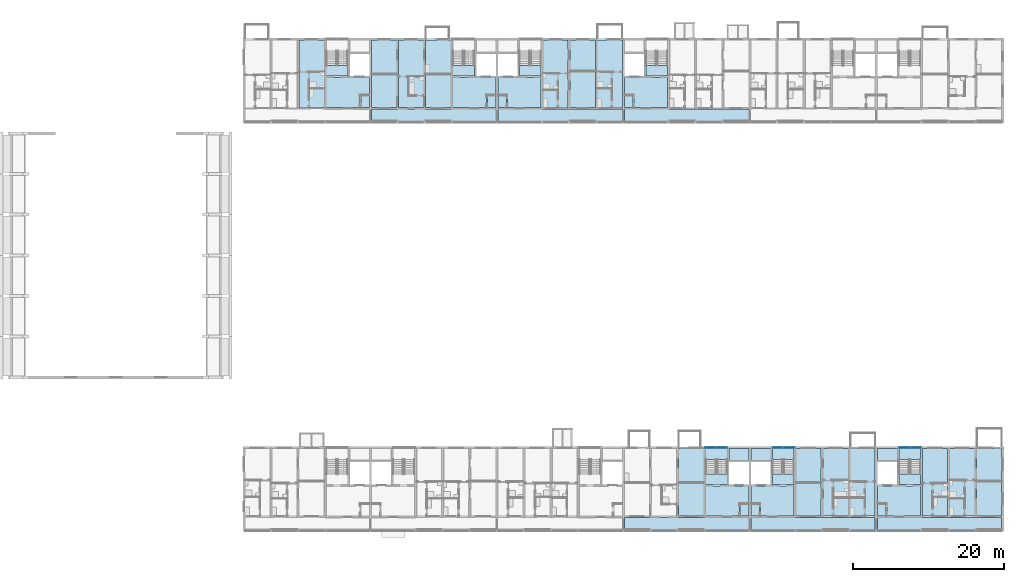
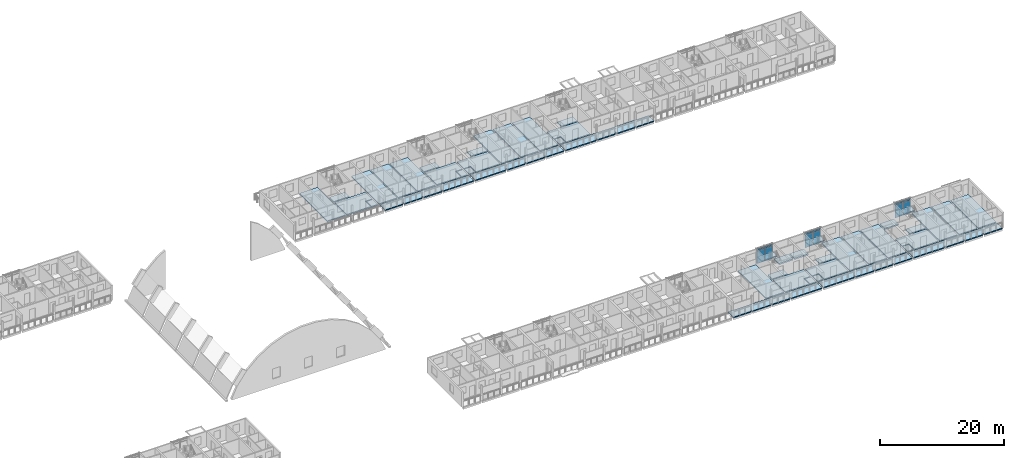
# One storey, part 28 of 100: 47 slabs, 12 plates, 6 elements without a shape of their own.
"""IFC4 building model written with IfcOpenShell, lengths in metres."""

import ifcopenshell
import ifcopenshell.guid

model = None  # the IFC model being written
_history = None  # IfcOwnerHistory: only IFC2X3 demands one
_inside = {}  # id of a spatial element -> (the spatial element, [elements in it])
_under = {}  # id of a project, library or spatial element -> (it, [spatial elements below it])
_declared = {}  # id of a project -> (the project, [libraries it declares])
_typed = {}  # id of a type object -> (the type object, [elements of that type])
_made_of = {}  # id of a material, layer set ... -> (it, [elements and type objects made of it])


def new_model(schema):
    """Start an empty IFC model of exactly this schema.

    Asked for "IFC4X3", IfcOpenShell would pick the latest addendum, in which some entities
    have other attributes; the version numbers below select the first issue.
    IFC2X3 requires an IfcOwnerHistory on every rooted entity: one is made here for all.
    """
    global model, _history
    if schema == "IFC4X3":
        model = ifcopenshell.file(schema_version=(4, 3, 0, 0))
    else:
        model = ifcopenshell.file(schema=schema)
    _inside.clear()
    _under.clear()
    _declared.clear()
    _typed.clear()
    _made_of.clear()
    _history = None
    if model.schema == "IFC2X3":
        org = make("IfcOrganization", Name="unknown")
        user = make(
            "IfcPersonAndOrganization",
            ThePerson=make("IfcPerson", FamilyName="unknown"),
            TheOrganization=org,
        )
        app = make(
            "IfcApplication",
            ApplicationDeveloper=org,
            Version="unknown",
            ApplicationFullName="unknown",
            ApplicationIdentifier="unknown",
        )
        _history = make(
            "IfcOwnerHistory",
            OwningUser=user,
            OwningApplication=app,
            ChangeAction="ADDED",
            CreationDate=0,
        )
    return model


def make(cls, **values):
    """One entity of the class cls with the attributes given. An attribute that is None is left unset."""
    return model.create_entity(
        cls, **{name: value for name, value in values.items() if value is not None}
    )


def rooted(cls, **values):
    """An entity with a GlobalId (a new one), such as an element, a storey or a relation."""
    return make(cls, GlobalId=ifcopenshell.guid.new(), OwnerHistory=_history, **values)


def si_unit(unit_type, name, prefix=None):
    """IfcSIUnit, for example si_unit("LENGTHUNIT", "METRE", prefix="MILLI")."""
    return make("IfcSIUnit", UnitType=unit_type, Prefix=prefix, Name=name)


def assignment(units):
    """IfcUnitAssignment: the units of a project."""
    return None if units is None else make("IfcUnitAssignment", Units=units)


def point(xyz):
    """IfcCartesianPoint."""
    return None if xyz is None else make("IfcCartesianPoint", Coordinates=xyz)


def direction(xyz):
    """IfcDirection."""
    return None if xyz is None else make("IfcDirection", DirectionRatios=xyz)


def frame(location, z_axis=None, x_axis=None):
    """IfcAxis2Placement3D, a coordinate frame: its origin and axes. An axis left out is left unset."""
    return make(
        "IfcAxis2Placement3D",
        Location=point(location),
        Axis=direction(z_axis),
        RefDirection=direction(x_axis),
    )


def frame_2d(location, x_axis=None):
    """IfcAxis2Placement2D, a coordinate frame in the plane: its origin and x axis."""
    return make(
        "IfcAxis2Placement2D", Location=point(location), RefDirection=direction(x_axis)
    )


def origin():
    """The frame at (0, 0, 0) with its axes left unset."""
    return frame((0.0, 0.0, 0.0))


def origin_2d():
    """The frame at (0, 0) in the plane with its x axis left unset."""
    return frame_2d((0.0, 0.0))


def place(relative_to, where):
    """IfcLocalPlacement: puts the frame where relative to a parent placement (None: the world)."""
    return make(
        "IfcLocalPlacement", PlacementRelTo=relative_to, RelativePlacement=where
    )


def context(
    kind, dimensions, precision=None, world=None, true_north=None, identifier=None
):
    """IfcGeometricRepresentationContext, for example the 3D "Model" context."""
    return make(
        "IfcGeometricRepresentationContext",
        ContextIdentifier=identifier,
        ContextType=kind,
        CoordinateSpaceDimension=dimensions,
        Precision=precision,
        WorldCoordinateSystem=world,
        TrueNorth=true_north,
    )


def subcontext(parent, identifier, kind, view, scale=None):
    """IfcGeometricRepresentationSubContext, for example "Body" below "Model"."""
    return make(
        "IfcGeometricRepresentationSubContext",
        ContextIdentifier=identifier,
        ContextType=kind,
        ParentContext=parent,
        TargetScale=scale,
        TargetView=view,
    )


def project(units=None, contexts=None):
    """IfcProject with its units and contexts."""
    return rooted(
        "IfcProject",
        Name="project",
        RepresentationContexts=contexts,
        UnitsInContext=assignment(units),
    )


def spatial(cls, under=None, at=None, **own):
    """A site, building, storey or space (cls), placed at a placement, below another one or the project."""
    s = rooted(cls, ObjectPlacement=at, **own)
    if under is not None:
        _under.setdefault(under.id(), (under, []))[1].append(s)
    return s


def polyline(points):
    """IfcPolyline through the points."""
    return make("IfcPolyline", Points=[point(p) for p in points])


def profile(cls, at=None, kind="AREA", **sizes):
    """A parametric profile (cls). Its sizes go by their IFC names, for example OverallWidth=200.0."""
    return make(cls, ProfileType=kind, Position=at, **sizes)


def rectangle(**sizes):
    """IfcRectangleProfileDef."""
    return profile("IfcRectangleProfileDef", **sizes)


def outline(outer, holes=None, kind="AREA"):
    """IfcArbitraryClosedProfileDef: a profile drawn as a closed curve; with holes, ...WithVoids."""
    if holes is None:
        return make("IfcArbitraryClosedProfileDef", ProfileType=kind, OuterCurve=outer)
    return make(
        "IfcArbitraryProfileDefWithVoids",
        ProfileType=kind,
        OuterCurve=outer,
        InnerCurves=holes,
    )


def extrude(swept, where, along, depth):
    """IfcExtrudedAreaSolid: the profile swept, set in the frame where, extruded along a direction by depth."""
    return make(
        "IfcExtrudedAreaSolid",
        SweptArea=swept,
        Position=where,
        ExtrudedDirection=direction(along),
        Depth=depth,
    )


def shape(context_of_items, identifier, shape_type, items):
    """IfcShapeRepresentation: the items that make up one representation, for example the "Body"."""
    return make(
        "IfcShapeRepresentation",
        ContextOfItems=context_of_items,
        RepresentationIdentifier=identifier,
        RepresentationType=shape_type,
        Items=items,
    )


def material(Name=None, Category=None):
    """IfcMaterial."""
    return make("IfcMaterial", Name=Name, Category=Category)


def layer(
    of_material, thickness, ventilated=None, Name=None, Category=None, Priority=None
):
    """IfcMaterialLayer: one layer of a wall or slab, of a material (None: an air gap)."""
    return make(
        "IfcMaterialLayer",
        Material=of_material,
        LayerThickness=thickness,
        IsVentilated=ventilated,
        Name=Name,
        Category=Category,
        Priority=Priority,
    )


def layer_set(layers, Name=None):
    """IfcMaterialLayerSet."""
    return make("IfcMaterialLayerSet", MaterialLayers=layers, LayerSetName=Name)


def made_of(thing, what):
    """Note that an element or type object is made of a material, layer set ...; save() writes the relation."""
    if what is not None:
        _made_of.setdefault(what.id(), (what, []))[1].append(thing)
    return thing


def type_object(cls, material=None, **own):
    """A type object (cls), such as IfcWallType, which elements share."""
    return made_of(rooted(cls, **own), material)


def element(
    cls,
    number,
    at=None,
    inside=None,
    cuts=None,
    type_object=None,
    material=None,
    context=None,
    identifier="Body",
    shape_type=None,
    held_by="IfcProductDefinitionShape",
    body=None,
    shapes=None,
    **own,
):
    """One element of the class cls, such as IfcWall. Its Tag is "e" and its number.

    at: its placement. inside: the storey or other place that contains it. cuts: it is an
    opening in that element (IfcRelVoidsElement). A single representation is given by context,
    identifier, shape_type and body (its items); several are given by shapes. held_by: the class
    of the entity that holds the representations. save() writes the other relations.
    """
    e = rooted(cls, Tag="e%d" % number, ObjectPlacement=at, **own)
    if body is not None:
        shapes = [shape(context, identifier, shape_type, body)]
    if shapes is not None:
        e.Representation = make(held_by, Representations=shapes)
    if inside is not None:
        _inside.setdefault(inside.id(), (inside, []))[1].append(e)
    if cuts is not None:
        rooted(
            "IfcRelVoidsElement", RelatingBuildingElement=cuts, RelatedOpeningElement=e
        )
    if type_object is not None:
        _typed.setdefault(type_object.id(), (type_object, []))[1].append(e)
    return made_of(e, material)


def aggregate(whole, parts):
    """IfcRelAggregates: a whole, such as a stair, and the parts it consists of."""
    return rooted("IfcRelAggregates", RelatingObject=whole, RelatedObjects=parts)


def save(model, path):
    """Write the relations noted so far, then the file.

    IfcRelAggregates (storeys below a building ...), IfcRelContainedInSpatialStructure (elements
    in a storey), IfcRelDefinesByType, IfcRelAssociatesMaterial and IfcRelDeclares: one each for
    every whole, place, type object, material and project.
    """
    for whole, parts in _under.values():
        aggregate(whole, parts)
    for where, things in _inside.values():
        rooted(
            "IfcRelContainedInSpatialStructure",
            RelatedElements=things,
            RelatingStructure=where,
        )
    for kind, things in _typed.values():
        rooted("IfcRelDefinesByType", RelatedObjects=things, RelatingType=kind)
    for what, things in _made_of.values():
        rooted("IfcRelAssociatesMaterial", RelatedObjects=things, RelatingMaterial=what)
    for by, libraries in _declared.values():
        rooted("IfcRelDeclares", RelatingContext=by, RelatedDefinitions=libraries)
    model.write(path)


model = new_model("IFC4")

# Units and contexts
model_context = context("Model", 3, precision=1e-05, world=origin(), true_north=direction((0.0, 1.0)))
body_context = subcontext(model_context, "Body", "Model", "MODEL_VIEW")
ifc_project = project(units=[si_unit("LENGTHUNIT", "METRE"), si_unit("AREAUNIT", "SQUARE_METRE"), si_unit("VOLUMEUNIT", "CUBIC_METRE"), si_unit("PLANEANGLEUNIT", "RADIAN"), si_unit("MASSUNIT", "GRAM", prefix="KILO")], contexts=[model_context])

# Site, building, storey
site_placement = place(None, origin())
site = spatial("IfcSite", under=ifc_project, at=site_placement, CompositionType="ELEMENT")
building_placement = place(site_placement, origin())
building = spatial("IfcBuilding", under=site, at=building_placement, Name="Ridgestep Commons", CompositionType="ELEMENT")
storey_placement = place(building_placement, frame((0.0, 0.0, 9.0)))
storey = spatial("IfcBuildingStorey", under=building, at=storey_placement, Name="L03", CompositionType="ELEMENT", Elevation=9.0)

# Slabs
ifc_material_1 = material(Name="Precast concrete C40/50", Category="concrete")
ifc_layer_1 = layer(ifc_material_1, 0.199951171875)
ifc_layer_set_1 = layer_set([ifc_layer_1], Name="Gallery slab 200")
slab_type_1 = type_object("IfcSlabType", Name="Gallery slab 200", PredefinedType="FLOOR", material=ifc_layer_set_1)
slab_1_placement = place(storey_placement, frame((0.0, 0.0, -0.199951171875)))
element("IfcSlab", 1, at=slab_1_placement, inside=storey, type_object=slab_type_1, Name="Gallery slab C2 L03", PredefinedType="FLOOR", context=body_context, shape_type="SweptSolid", body=[
    extrude(outline(polyline([(180.25, 67.800048828125), (163.75, 67.800048828125), (163.75, 66.0), (167.074951171875, 66.0), (167.074951171875, 66.25), (167.324951171875, 66.25), (167.324951171875, 66.0), (170.675048828125, 66.0), (170.675048828125, 66.25), (170.925048828125, 66.25), (170.925048828125, 66.0), (174.27490234375, 66.0), (174.27490234375, 66.25), (174.52490234375, 66.25), (174.52490234375, 66.0), (180.25, 66.0), (180.25, 67.800048828125)])), origin(), (0.0, 0.0, 1.0), 0.199951171875),
])
slab_2_placement = place(storey_placement, frame((0.0, 0.0, -0.199951171875)))
element("IfcSlab", 2, at=slab_2_placement, inside=storey, type_object=slab_type_1, Name="Gallery slab C3 L03", PredefinedType="FLOOR", context=body_context, shape_type="SweptSolid", body=[
    extrude(outline(polyline([(197.050048828125, 67.800048828125), (180.550048828125, 67.800048828125), (180.550048828125, 66.0), (186.27490234375, 66.0), (186.27490234375, 66.25), (186.52490234375, 66.25), (186.52490234375, 66.0), (189.875, 66.0), (189.875, 66.25), (190.125, 66.25), (190.125, 66.0), (193.47509765625, 66.0), (193.47509765625, 66.25), (193.72509765625, 66.25), (193.72509765625, 66.0), (197.050048828125, 66.0), (197.050048828125, 67.800048828125)])), origin(), (0.0, 0.0, 1.0), 0.199951171875),
])
slab_3_placement = place(storey_placement, frame((0.0, 0.0, -0.199951171875)))
element("IfcSlab", 3, at=slab_3_placement, inside=storey, type_object=slab_type_1, Name="Gallery slab C4 L03", PredefinedType="FLOOR", context=body_context, shape_type="SweptSolid", body=[
    extrude(outline(polyline([(213.85009765625, 67.800048828125), (197.35009765625, 67.800048828125), (197.35009765625, 66.0), (203.074951171875, 66.0), (203.074951171875, 66.25), (203.324951171875, 66.25), (203.324951171875, 66.0), (206.675048828125, 66.0), (206.675048828125, 66.25), (206.925048828125, 66.25), (206.925048828125, 66.0), (210.27490234375, 66.0), (210.27490234375, 66.25), (210.52490234375, 66.25), (210.52490234375, 66.0), (213.85009765625, 66.0), (213.85009765625, 67.800048828125)])), origin(), (0.0, 0.0, 1.0), 0.199951171875),
])
slab_4_placement = place(storey_placement, frame((0.0, 0.0, -0.199951171875)))
element("IfcSlab", 4, at=slab_4_placement, inside=storey, type_object=slab_type_1, Name="Gallery slab D4 L03", PredefinedType="FLOOR", context=body_context, shape_type="SweptSolid", body=[
    extrude(outline(polyline([(213.85009765625, 13.550048828125), (197.35009765625, 13.550048828125), (197.35009765625, 11.75), (200.675048828125, 11.75), (200.675048828125, 12.0), (200.925048828125, 12.0), (200.925048828125, 11.75), (204.27490234375, 11.75), (204.27490234375, 12.0), (204.52490234375, 12.0), (204.52490234375, 11.75), (207.875, 11.75), (207.875, 12.0), (208.125, 12.0), (208.125, 11.75), (213.85009765625, 11.75), (213.85009765625, 13.550048828125)])), origin(), (0.0, 0.0, 1.0), 0.199951171875),
])
slab_5_placement = place(storey_placement, frame((0.0, 0.0, -0.199951171875)))
element("IfcSlab", 5, at=slab_5_placement, inside=storey, type_object=slab_type_1, Name="Gallery slab D5 L03", PredefinedType="FLOOR", context=body_context, shape_type="SweptSolid", body=[
    extrude(outline(polyline([(230.64990234375, 13.550048828125), (214.14990234375, 13.550048828125), (214.14990234375, 11.75), (219.875, 11.75), (219.875, 12.0), (220.125, 12.0), (220.125, 11.75), (223.47509765625, 11.75), (223.47509765625, 12.0), (223.72509765625, 12.0), (223.72509765625, 11.75), (227.074951171875, 11.75), (227.074951171875, 12.0), (227.324951171875, 12.0), (227.324951171875, 11.75), (230.64990234375, 11.75), (230.64990234375, 13.550048828125)])), origin(), (0.0, 0.0, 1.0), 0.199951171875),
])
slab_6_placement = place(storey_placement, frame((0.0, 0.0, -0.199951171875)))
element("IfcSlab", 6, at=slab_6_placement, inside=storey, type_object=slab_type_1, Name="Gallery slab D6 L03", PredefinedType="FLOOR", context=body_context, shape_type="SweptSolid", body=[
    extrude(outline(polyline([(247.449951171875, 13.550048828125), (230.949951171875, 13.550048828125), (230.949951171875, 11.75), (236.675048828125, 11.75), (236.675048828125, 12.0), (236.925048828125, 12.0), (236.925048828125, 11.75), (240.27490234375, 11.75), (240.27490234375, 12.0), (240.52490234375, 12.0), (240.52490234375, 11.75), (243.875, 11.75), (243.875, 12.0), (244.125, 12.0), (244.125, 11.75), (247.449951171875, 11.75), (247.449951171875, 13.550048828125)])), origin(), (0.0, 0.0, 1.0), 0.199951171875),
])

# Curtain wall, plates
ifc_material_2 = material(Name="Aluminium 6063-T6 and glass", Category="aluminium")
curtain_wall_type = type_object("IfcCurtainWallType", Name="Curtain wall stair strip", PredefinedType="NOTDEFINED", material=ifc_material_2)
curtain_wall_1_placement = place(storey_placement, origin())
curtain_wall_1 = element("IfcCurtainWall", 7, at=curtain_wall_1_placement, inside=storey, type_object=curtain_wall_type, Name="Curtain wall D4C level 03", PredefinedType="NOTDEFINED")
ifc_material_3 = material(Name="Glass laminated 6/16/6 low-emissivity", Category="glass")
ifc_layer_2 = layer(ifc_material_3, 0.028076171875)
ifc_layer_set_2 = layer_set([ifc_layer_2], Name="Glazing panel 28")
plate_type_1 = type_object("IfcPlateType", Name="Glazing panel 28", PredefinedType="CURTAIN_PANEL", material=ifc_layer_set_2)
plate_1_placement = place(storey_placement, frame((208.771240234375, 22.830078125, 0.06005859375), z_axis=(0.0, 0.0, 1.0), x_axis=(1.0, 0.0, 0.0)))
plate_1 = element("IfcPlate", 8, at=plate_1_placement, type_object=plate_type_1, Name="CW1 panel 1.1", PredefinedType="CURTAIN_PANEL", context=body_context, shape_type="SweptSolid", body=[
    extrude(rectangle(XDim=1.422607421875, YDim=0.028076171875, at=origin_2d()), origin(), (0.0, 0.0, 1.0), 2.5),
])
plate_2_placement = place(storey_placement, frame((210.253662109375, 22.830078125, 0.06005859375), z_axis=(0.0, 0.0, 1.0), x_axis=(1.0, 0.0, 0.0)))
plate_2 = element("IfcPlate", 9, at=plate_2_placement, type_object=plate_type_1, Name="CW1 panel 2.1", PredefinedType="CURTAIN_PANEL", context=body_context, shape_type="SweptSolid", body=[
    extrude(rectangle(XDim=1.422607421875, YDim=0.028076171875, at=origin_2d()), origin(), (0.0, 0.0, 1.0), 2.5),
])

curtain_wall_2_placement = place(storey_placement, origin())
curtain_wall_2 = element("IfcCurtainWall", 10, at=curtain_wall_2_placement, inside=storey, type_object=curtain_wall_type, Name="Curtain wall D5C level 03", PredefinedType="NOTDEFINED")
plate_3_placement = place(storey_placement, frame((217.746337890625, 22.830078125, 0.06005859375), z_axis=(0.0, 0.0, 1.0), x_axis=(1.0, 0.0, 0.0)))
plate_3 = element("IfcPlate", 11, at=plate_3_placement, type_object=plate_type_1, Name="CW1 panel 1.1", PredefinedType="CURTAIN_PANEL", context=body_context, shape_type="SweptSolid", body=[
    extrude(rectangle(XDim=1.422607421875, YDim=0.028076171875, at=origin_2d()), origin(), (0.0, 0.0, 1.0), 2.5),
])
plate_4_placement = place(storey_placement, frame((219.228759765625, 22.830078125, 0.06005859375), z_axis=(0.0, 0.0, 1.0), x_axis=(1.0, 0.0, 0.0)))
plate_4 = element("IfcPlate", 12, at=plate_4_placement, type_object=plate_type_1, Name="CW1 panel 2.1", PredefinedType="CURTAIN_PANEL", context=body_context, shape_type="SweptSolid", body=[
    extrude(rectangle(XDim=1.422607421875, YDim=0.028076171875, at=origin_2d()), origin(), (0.0, 0.0, 1.0), 2.5),
])

curtain_wall_3_placement = place(storey_placement, origin())
curtain_wall_3 = element("IfcCurtainWall", 13, at=curtain_wall_3_placement, inside=storey, type_object=curtain_wall_type, Name="Curtain wall D6C level 03", PredefinedType="NOTDEFINED")
plate_5_placement = place(storey_placement, frame((234.546142578125, 22.830078125, 0.06005859375), z_axis=(0.0, 0.0, 1.0), x_axis=(1.0, 0.0, 0.0)))
plate_5 = element("IfcPlate", 14, at=plate_5_placement, type_object=plate_type_1, Name="CW1 panel 1.1", PredefinedType="CURTAIN_PANEL", context=body_context, shape_type="SweptSolid", body=[
    extrude(rectangle(XDim=1.422607421875, YDim=0.028076171875, at=origin_2d()), origin(), (0.0, 0.0, 1.0), 2.5),
])
plate_6_placement = place(storey_placement, frame((236.02880859375, 22.830078125, 0.06005859375), z_axis=(0.0, 0.0, 1.0), x_axis=(1.0, 0.0, 0.0)))
plate_6 = element("IfcPlate", 15, at=plate_6_placement, type_object=plate_type_1, Name="CW1 panel 2.1", PredefinedType="CURTAIN_PANEL", context=body_context, shape_type="SweptSolid", body=[
    extrude(rectangle(XDim=1.422607421875, YDim=0.028076171875, at=origin_2d()), origin(), (0.0, 0.0, 1.0), 2.5),
])

# Slabs
ifc_material_4 = material(Name="Precast concrete C50/60", Category="concrete")
ifc_layer_3 = layer(ifc_material_4, 0.199951171875)
ifc_layer_set_3 = layer_set([ifc_layer_3], Name="Hollow-core plank 200")
slab_type_2 = type_object("IfcSlabType", Name="Hollow-core plank 200", PredefinedType="FLOOR", material=ifc_layer_set_3)
slab_7_placement = place(storey_placement, frame((0.0, 0.0, -0.199951171875)))
element("IfcSlab", 16, at=slab_7_placement, inside=storey, type_object=slab_type_2, Name="Floor plank C1T3 L03", PredefinedType="FLOOR", context=body_context, shape_type="SweptSolid", body=[
    extrude(outline(polyline([(157.47509765625, 68.0), (157.47509765625, 77.0), (154.10009765625, 77.0), (154.10009765625, 68.0), (157.47509765625, 68.0)])), origin(), (0.0, 0.0, 1.0), 0.199951171875),
])
slab_8_placement = place(storey_placement, frame((0.0, 0.0, -0.199951171875)))
element("IfcSlab", 17, at=slab_8_placement, inside=storey, type_object=slab_type_2, Name="Floor plank C2T1 L03", PredefinedType="FLOOR", context=body_context, shape_type="SweptSolid", body=[
    extrude(outline(polyline([(167.10009765625, 68.0), (167.10009765625, 77.0), (163.75, 77.0), (163.75, 68.0), (167.10009765625, 68.0)])), origin(), (0.0, 0.0, 1.0), 0.199951171875),
])
slab_9_placement = place(storey_placement, frame((0.0, 0.0, -0.199951171875)))
element("IfcSlab", 18, at=slab_9_placement, inside=storey, type_object=slab_type_2, Name="Floor plank C2T2 L03", PredefinedType="FLOOR", context=body_context, shape_type="SweptSolid", body=[
    extrude(outline(polyline([(170.699951171875, 68.0), (170.699951171875, 77.0), (167.300048828125, 77.0), (167.300048828125, 68.0), (170.699951171875, 68.0)])), origin(), (0.0, 0.0, 1.0), 0.199951171875),
])
slab_10_placement = place(storey_placement, frame((0.0, 0.0, -0.199951171875)))
element("IfcSlab", 19, at=slab_10_placement, inside=storey, type_object=slab_type_2, Name="Floor plank C2T3 L03", PredefinedType="FLOOR", context=body_context, shape_type="SweptSolid", body=[
    extrude(outline(polyline([(174.27490234375, 68.0), (174.27490234375, 77.0), (170.89990234375, 77.0), (170.89990234375, 68.0), (174.27490234375, 68.0)])), origin(), (0.0, 0.0, 1.0), 0.199951171875),
])
slab_11_placement = place(storey_placement, frame((0.0, 0.0, -0.199951171875)))
element("IfcSlab", 20, at=slab_11_placement, inside=storey, type_object=slab_type_2, Name="Floor plank C3T3 L03", PredefinedType="FLOOR", context=body_context, shape_type="SweptSolid", body=[
    extrude(outline(polyline([(189.875, 68.0), (189.875, 77.0), (186.52490234375, 77.0), (186.52490234375, 68.0), (189.875, 68.0)])), origin(), (0.0, 0.0, 1.0), 0.199951171875),
])
slab_12_placement = place(storey_placement, frame((0.0, 0.0, -0.199951171875)))
element("IfcSlab", 21, at=slab_12_placement, inside=storey, type_object=slab_type_2, Name="Floor plank C3T2 L03", PredefinedType="FLOOR", context=body_context, shape_type="SweptSolid", body=[
    extrude(outline(polyline([(193.47509765625, 68.0), (193.47509765625, 77.0), (190.125, 77.0), (190.125, 68.0), (193.47509765625, 68.0)])), origin(), (0.0, 0.0, 1.0), 0.199951171875),
])
slab_13_placement = place(storey_placement, frame((0.0, 0.0, -0.199951171875)))
element("IfcSlab", 22, at=slab_13_placement, inside=storey, type_object=slab_type_2, Name="Floor plank C3T1 L03", PredefinedType="FLOOR", context=body_context, shape_type="SweptSolid", body=[
    extrude(outline(polyline([(197.050048828125, 68.0), (197.050048828125, 77.0), (193.72509765625, 77.0), (193.72509765625, 68.0), (197.050048828125, 68.0)])), origin(), (0.0, 0.0, 1.0), 0.199951171875),
])
slab_14_placement = place(storey_placement, frame((0.0, 0.0, -0.199951171875)))
element("IfcSlab", 23, at=slab_14_placement, inside=storey, type_object=slab_type_2, Name="Floor plank D4T3 L03", PredefinedType="FLOOR", context=body_context, shape_type="SweptSolid", body=[
    extrude(outline(polyline([(207.875, 13.75), (207.875, 22.75), (204.52490234375, 22.75), (204.52490234375, 13.75), (207.875, 13.75)])), origin(), (0.0, 0.0, 1.0), 0.199951171875),
])
slab_15_placement = place(storey_placement, frame((0.0, 0.0, -0.199951171875)))
element("IfcSlab", 24, at=slab_15_placement, inside=storey, type_object=slab_type_2, Name="Floor plank D5T3 L03", PredefinedType="FLOOR", context=body_context, shape_type="SweptSolid", body=[
    extrude(outline(polyline([(223.47509765625, 13.75), (223.47509765625, 22.75), (220.125, 22.75), (220.125, 13.75), (223.47509765625, 13.75)])), origin(), (0.0, 0.0, 1.0), 0.199951171875),
])
slab_16_placement = place(storey_placement, frame((0.0, 0.0, -0.199951171875)))
element("IfcSlab", 25, at=slab_16_placement, inside=storey, type_object=slab_type_2, Name="Floor plank D5T2 L03", PredefinedType="FLOOR", context=body_context, shape_type="SweptSolid", body=[
    extrude(outline(polyline([(227.074951171875, 13.75), (227.074951171875, 22.75), (223.72509765625, 22.75), (223.72509765625, 13.75), (227.074951171875, 13.75)])), origin(), (0.0, 0.0, 1.0), 0.199951171875),
])
slab_17_placement = place(storey_placement, frame((0.0, 0.0, -0.199951171875)))
element("IfcSlab", 26, at=slab_17_placement, inside=storey, type_object=slab_type_2, Name="Floor plank D5T1 L03", PredefinedType="FLOOR", context=body_context, shape_type="SweptSolid", body=[
    extrude(outline(polyline([(230.64990234375, 13.75), (230.64990234375, 22.75), (227.324951171875, 22.75), (227.324951171875, 13.75), (230.64990234375, 13.75)])), origin(), (0.0, 0.0, 1.0), 0.199951171875),
])
slab_18_placement = place(storey_placement, frame((0.0, 0.0, -0.199951171875)))
element("IfcSlab", 27, at=slab_18_placement, inside=storey, type_object=slab_type_2, Name="Floor plank D6T3 L03", PredefinedType="FLOOR", context=body_context, shape_type="SweptSolid", body=[
    extrude(outline(polyline([(240.27490234375, 13.75), (240.27490234375, 22.75), (236.925048828125, 22.75), (236.925048828125, 13.75), (240.27490234375, 13.75)])), origin(), (0.0, 0.0, 1.0), 0.199951171875),
])
slab_19_placement = place(storey_placement, frame((0.0, 0.0, -0.199951171875)))
element("IfcSlab", 28, at=slab_19_placement, inside=storey, type_object=slab_type_2, Name="Floor plank D6T2 L03", PredefinedType="FLOOR", context=body_context, shape_type="SweptSolid", body=[
    extrude(outline(polyline([(243.875, 13.75), (243.875, 22.75), (240.52490234375, 22.75), (240.52490234375, 13.75), (243.875, 13.75)])), origin(), (0.0, 0.0, 1.0), 0.199951171875),
])
slab_20_placement = place(storey_placement, frame((0.0, 0.0, -0.199951171875)))
element("IfcSlab", 29, at=slab_20_placement, inside=storey, type_object=slab_type_2, Name="Floor plank D6T1 L03", PredefinedType="FLOOR", context=body_context, shape_type="SweptSolid", body=[
    extrude(outline(polyline([(247.449951171875, 13.75), (247.449951171875, 22.75), (244.125, 22.75), (244.125, 13.75), (247.449951171875, 13.75)])), origin(), (0.0, 0.0, 1.0), 0.199951171875),
])
ifc_material_5 = material(Name="Precast concrete C50/60", Category="concrete")
ifc_layer_4 = layer(ifc_material_5, 0.25)
ifc_layer_set_4 = layer_set([ifc_layer_4], Name="Hollow-core plank 250")
slab_type_3 = type_object("IfcSlabType", Name="Hollow-core plank 250", PredefinedType="FLOOR", material=ifc_layer_set_4)
slab_21_placement = place(storey_placement, frame((0.0, 0.0, -0.25)))
element("IfcSlab", 30, at=slab_21_placement, inside=storey, type_object=slab_type_3, Name="Floor plank C1C L03", PredefinedType="FLOOR", context=body_context, shape_type="SweptSolid", body=[
    extrude(outline(polyline([(162.320068359375, 69.719970703125), (163.449951171875, 69.719970703125), (163.449951171875, 72.0), (157.72509765625, 72.0), (157.72509765625, 68.0), (162.199951171875, 68.0), (162.199951171875, 69.719970703125), (162.320068359375, 69.719970703125)])), origin(), (0.0, 0.0, 1.0), 0.25),
])
slab_22_placement = place(storey_placement, frame((0.0, 0.0, -0.25)))
element("IfcSlab", 31, at=slab_22_placement, inside=storey, type_object=slab_type_3, Name="Floor plank C1C L03", PredefinedType="FLOOR", context=body_context, shape_type="SweptSolid", body=[
    extrude(outline(polyline([(160.625, 72.199951171875), (160.625, 73.60009765625), (157.72509765625, 73.60009765625), (157.72509765625, 72.199951171875), (160.625, 72.199951171875)])), origin(), (0.0, 0.0, 1.0), 0.25),
])
slab_23_placement = place(storey_placement, frame((0.0, 0.0, -0.25)))
element("IfcSlab", 32, at=slab_23_placement, inside=storey, type_object=slab_type_3, Name="Floor plank C1C L03", PredefinedType="FLOOR", context=body_context, shape_type="SweptSolid", body=[
    extrude(outline(polyline([(162.320068359375, 68.0), (163.449951171875, 68.0), (163.449951171875, 69.60009765625), (162.320068359375, 69.60009765625), (162.320068359375, 68.0)])), origin(), (0.0, 0.0, 1.0), 0.25),
])
slab_24_placement = place(storey_placement, frame((0.0, 0.0, -0.25)))
element("IfcSlab", 33, at=slab_24_placement, inside=storey, type_object=slab_type_3, Name="Floor plank C2C L03", PredefinedType="FLOOR", context=body_context, shape_type="SweptSolid", body=[
    extrude(outline(polyline([(179.1201171875, 69.719970703125), (180.25, 69.719970703125), (180.25, 72.0), (174.52490234375, 72.0), (174.52490234375, 68.0), (179.0, 68.0), (179.0, 69.719970703125), (179.1201171875, 69.719970703125)])), origin(), (0.0, 0.0, 1.0), 0.25),
])
slab_25_placement = place(storey_placement, frame((0.0, 0.0, -0.25)))
element("IfcSlab", 34, at=slab_25_placement, inside=storey, type_object=slab_type_3, Name="Floor plank C2C L03", PredefinedType="FLOOR", context=body_context, shape_type="SweptSolid", body=[
    extrude(outline(polyline([(177.425048828125, 72.199951171875), (177.425048828125, 73.60009765625), (174.52490234375, 73.60009765625), (174.52490234375, 72.199951171875), (177.425048828125, 72.199951171875)])), origin(), (0.0, 0.0, 1.0), 0.25),
])
slab_26_placement = place(storey_placement, frame((0.0, 0.0, -0.25)))
element("IfcSlab", 35, at=slab_26_placement, inside=storey, type_object=slab_type_3, Name="Floor plank C2C L03", PredefinedType="FLOOR", context=body_context, shape_type="SweptSolid", body=[
    extrude(outline(polyline([(179.1201171875, 68.0), (180.25, 68.0), (180.25, 69.60009765625), (179.1201171875, 69.60009765625), (179.1201171875, 68.0)])), origin(), (0.0, 0.0, 1.0), 0.25),
])
slab_27_placement = place(storey_placement, frame((0.0, 0.0, -0.25)))
element("IfcSlab", 36, at=slab_27_placement, inside=storey, type_object=slab_type_3, Name="Floor plank C3C L03", PredefinedType="FLOOR", context=body_context, shape_type="SweptSolid", body=[
    extrude(outline(polyline([(181.800048828125, 68.0), (186.27490234375, 68.0), (186.27490234375, 72.0), (180.550048828125, 72.0), (180.550048828125, 69.719970703125), (181.679931640625, 69.719970703125), (181.800048828125, 69.719970703125), (181.800048828125, 68.0)])), origin(), (0.0, 0.0, 1.0), 0.25),
])
slab_28_placement = place(storey_placement, frame((0.0, 0.0, -0.25)))
element("IfcSlab", 37, at=slab_28_placement, inside=storey, type_object=slab_type_3, Name="Floor plank C3C L03", PredefinedType="FLOOR", context=body_context, shape_type="SweptSolid", body=[
    extrude(outline(polyline([(186.27490234375, 72.199951171875), (186.27490234375, 73.60009765625), (183.375, 73.60009765625), (183.375, 72.199951171875), (186.27490234375, 72.199951171875)])), origin(), (0.0, 0.0, 1.0), 0.25),
])
slab_29_placement = place(storey_placement, frame((0.0, 0.0, -0.25)))
element("IfcSlab", 38, at=slab_29_placement, inside=storey, type_object=slab_type_3, Name="Floor plank C3C L03", PredefinedType="FLOOR", context=body_context, shape_type="SweptSolid", body=[
    extrude(outline(polyline([(181.679931640625, 69.60009765625), (180.550048828125, 69.60009765625), (180.550048828125, 68.0), (181.679931640625, 68.0), (181.679931640625, 69.60009765625)])), origin(), (0.0, 0.0, 1.0), 0.25),
])
slab_30_placement = place(storey_placement, frame((0.0, 0.0, -0.25)))
element("IfcSlab", 39, at=slab_30_placement, inside=storey, type_object=slab_type_3, Name="Floor plank C4C L03", PredefinedType="FLOOR", context=body_context, shape_type="SweptSolid", body=[
    extrude(outline(polyline([(198.60009765625, 68.0), (203.074951171875, 68.0), (203.074951171875, 72.0), (197.35009765625, 72.0), (197.35009765625, 69.719970703125), (198.47998046875, 69.719970703125), (198.60009765625, 69.719970703125), (198.60009765625, 68.0)])), origin(), (0.0, 0.0, 1.0), 0.25),
])
slab_31_placement = place(storey_placement, frame((0.0, 0.0, -0.25)))
element("IfcSlab", 40, at=slab_31_placement, inside=storey, type_object=slab_type_3, Name="Floor plank C4C L03", PredefinedType="FLOOR", context=body_context, shape_type="SweptSolid", body=[
    extrude(outline(polyline([(203.074951171875, 72.199951171875), (203.074951171875, 73.60009765625), (200.175048828125, 73.60009765625), (200.175048828125, 72.199951171875), (203.074951171875, 72.199951171875)])), origin(), (0.0, 0.0, 1.0), 0.25),
])
slab_32_placement = place(storey_placement, frame((0.0, 0.0, -0.25)))
element("IfcSlab", 41, at=slab_32_placement, inside=storey, type_object=slab_type_3, Name="Floor plank C4C L03", PredefinedType="FLOOR", context=body_context, shape_type="SweptSolid", body=[
    extrude(outline(polyline([(198.47998046875, 69.60009765625), (197.35009765625, 69.60009765625), (197.35009765625, 68.0), (198.47998046875, 68.0), (198.47998046875, 69.60009765625)])), origin(), (0.0, 0.0, 1.0), 0.25),
])
slab_33_placement = place(storey_placement, frame((0.0, 0.0, -0.25)))
element("IfcSlab", 42, at=slab_33_placement, inside=storey, type_object=slab_type_3, Name="Floor plank D4C L03", PredefinedType="FLOOR", context=body_context, shape_type="SweptSolid", body=[
    extrude(outline(polyline([(212.719970703125, 15.469970703125), (213.85009765625, 15.469970703125), (213.85009765625, 17.75), (208.125, 17.75), (208.125, 13.75), (212.60009765625, 13.75), (212.60009765625, 15.469970703125), (212.719970703125, 15.469970703125)])), origin(), (0.0, 0.0, 1.0), 0.25),
])
slab_34_placement = place(storey_placement, frame((0.0, 0.0, -0.25)))
element("IfcSlab", 43, at=slab_34_placement, inside=storey, type_object=slab_type_3, Name="Floor plank D4C L03", PredefinedType="FLOOR", context=body_context, shape_type="SweptSolid", body=[
    extrude(outline(polyline([(213.85009765625, 21.14990234375), (213.85009765625, 22.75), (211.22509765625, 22.75), (211.22509765625, 21.14990234375), (213.85009765625, 21.14990234375)])), origin(), (0.0, 0.0, 1.0), 0.25),
])
slab_35_placement = place(storey_placement, frame((0.0, 0.0, -0.25)))
element("IfcSlab", 44, at=slab_35_placement, inside=storey, type_object=slab_type_3, Name="Floor plank D4C L03", PredefinedType="FLOOR", context=body_context, shape_type="SweptSolid", body=[
    extrude(outline(polyline([(211.02490234375, 17.949951171875), (211.02490234375, 19.35009765625), (208.125, 19.35009765625), (208.125, 17.949951171875), (211.02490234375, 17.949951171875)])), origin(), (0.0, 0.0, 1.0), 0.25),
])
slab_36_placement = place(storey_placement, frame((0.0, 0.0, -0.25)))
element("IfcSlab", 45, at=slab_36_placement, inside=storey, type_object=slab_type_3, Name="Floor plank D4C L03", PredefinedType="FLOOR", context=body_context, shape_type="SweptSolid", body=[
    extrude(outline(polyline([(212.719970703125, 13.75), (213.85009765625, 13.75), (213.85009765625, 15.35009765625), (212.719970703125, 15.35009765625), (212.719970703125, 13.75)])), origin(), (0.0, 0.0, 1.0), 0.25),
])
slab_37_placement = place(storey_placement, frame((0.0, 0.0, -0.25)))
element("IfcSlab", 46, at=slab_37_placement, inside=storey, type_object=slab_type_3, Name="Floor plank D5C L03", PredefinedType="FLOOR", context=body_context, shape_type="SweptSolid", body=[
    extrude(outline(polyline([(215.39990234375, 13.75), (219.875, 13.75), (219.875, 17.75), (214.14990234375, 17.75), (214.14990234375, 15.469970703125), (215.280029296875, 15.469970703125), (215.39990234375, 15.469970703125), (215.39990234375, 13.75)])), origin(), (0.0, 0.0, 1.0), 0.25),
])
slab_38_placement = place(storey_placement, frame((0.0, 0.0, -0.25)))
element("IfcSlab", 47, at=slab_38_placement, inside=storey, type_object=slab_type_3, Name="Floor plank D5C L03", PredefinedType="FLOOR", context=body_context, shape_type="SweptSolid", body=[
    extrude(outline(polyline([(216.77490234375, 22.75), (214.14990234375, 22.75), (214.14990234375, 21.14990234375), (216.77490234375, 21.14990234375), (216.77490234375, 22.75)])), origin(), (0.0, 0.0, 1.0), 0.25),
])
slab_39_placement = place(storey_placement, frame((0.0, 0.0, -0.25)))
element("IfcSlab", 48, at=slab_39_placement, inside=storey, type_object=slab_type_3, Name="Floor plank D5C L03", PredefinedType="FLOOR", context=body_context, shape_type="SweptSolid", body=[
    extrude(outline(polyline([(219.875, 17.949951171875), (219.875, 19.35009765625), (216.97509765625, 19.35009765625), (216.97509765625, 17.949951171875), (219.875, 17.949951171875)])), origin(), (0.0, 0.0, 1.0), 0.25),
])
slab_40_placement = place(storey_placement, frame((0.0, 0.0, -0.25)))
element("IfcSlab", 49, at=slab_40_placement, inside=storey, type_object=slab_type_3, Name="Floor plank D5C L03", PredefinedType="FLOOR", context=body_context, shape_type="SweptSolid", body=[
    extrude(outline(polyline([(215.280029296875, 15.35009765625), (214.14990234375, 15.35009765625), (214.14990234375, 13.75), (215.280029296875, 13.75), (215.280029296875, 15.35009765625)])), origin(), (0.0, 0.0, 1.0), 0.25),
])
slab_41_placement = place(storey_placement, frame((0.0, 0.0, -0.25)))
element("IfcSlab", 50, at=slab_41_placement, inside=storey, type_object=slab_type_3, Name="Floor plank D6C L03", PredefinedType="FLOOR", context=body_context, shape_type="SweptSolid", body=[
    extrude(outline(polyline([(232.199951171875, 13.75), (236.675048828125, 13.75), (236.675048828125, 17.75), (230.949951171875, 17.75), (230.949951171875, 15.469970703125), (232.080078125, 15.469970703125), (232.199951171875, 15.469970703125), (232.199951171875, 13.75)])), origin(), (0.0, 0.0, 1.0), 0.25),
])
slab_42_placement = place(storey_placement, frame((0.0, 0.0, -0.25)))
element("IfcSlab", 51, at=slab_42_placement, inside=storey, type_object=slab_type_3, Name="Floor plank D6C L03", PredefinedType="FLOOR", context=body_context, shape_type="SweptSolid", body=[
    extrude(outline(polyline([(233.574951171875, 22.75), (230.949951171875, 22.75), (230.949951171875, 21.14990234375), (233.574951171875, 21.14990234375), (233.574951171875, 22.75)])), origin(), (0.0, 0.0, 1.0), 0.25),
])
slab_43_placement = place(storey_placement, frame((0.0, 0.0, -0.25)))
element("IfcSlab", 52, at=slab_43_placement, inside=storey, type_object=slab_type_3, Name="Floor plank D6C L03", PredefinedType="FLOOR", context=body_context, shape_type="SweptSolid", body=[
    extrude(outline(polyline([(236.675048828125, 17.949951171875), (236.675048828125, 19.35009765625), (233.77490234375, 19.35009765625), (233.77490234375, 17.949951171875), (236.675048828125, 17.949951171875)])), origin(), (0.0, 0.0, 1.0), 0.25),
])
slab_44_placement = place(storey_placement, frame((0.0, 0.0, -0.25)))
element("IfcSlab", 53, at=slab_44_placement, inside=storey, type_object=slab_type_3, Name="Floor plank D6C L03", PredefinedType="FLOOR", context=body_context, shape_type="SweptSolid", body=[
    extrude(outline(polyline([(232.080078125, 15.35009765625), (230.949951171875, 15.35009765625), (230.949951171875, 13.75), (232.080078125, 13.75), (232.080078125, 15.35009765625)])), origin(), (0.0, 0.0, 1.0), 0.25),
])

# Plate
ifc_material_6 = material(Name="Aluminium 6063-T6 and mineral wool", Category="aluminium")
ifc_layer_5 = layer(ifc_material_6, 0.0400390625)
ifc_layer_set_5 = layer_set([ifc_layer_5], Name="Spandrel panel 40")
plate_type_2 = type_object("IfcPlateType", Name="Spandrel panel 40", PredefinedType="CURTAIN_PANEL", material=ifc_layer_set_5)
plate_7_placement = place(storey_placement, frame((208.771240234375, 22.830078125, 2.6201171875), z_axis=(0.0, 0.0, 1.0), x_axis=(1.0, 0.0, 0.0)))
plate_7 = element("IfcPlate", 54, at=plate_7_placement, type_object=plate_type_2, Name="CW1 panel 1.2", PredefinedType="CURTAIN_PANEL", context=body_context, shape_type="SweptSolid", body=[
    extrude(rectangle(XDim=1.422607421875, YDim=0.0400390625, at=origin_2d()), origin(), (0.0, 0.0, 1.0), 0.320068359375),
])

plate_8_placement = place(storey_placement, frame((210.253662109375, 22.830078125, 2.6201171875), z_axis=(0.0, 0.0, 1.0), x_axis=(1.0, 0.0, 0.0)))
plate_8 = element("IfcPlate", 55, at=plate_8_placement, type_object=plate_type_2, Name="CW1 panel 2.2", PredefinedType="CURTAIN_PANEL", context=body_context, shape_type="SweptSolid", body=[
    extrude(rectangle(XDim=1.422607421875, YDim=0.0400390625, at=origin_2d()), origin(), (0.0, 0.0, 1.0), 0.320068359375),
])

aggregate(curtain_wall_1, [plate_1, plate_7, plate_2, plate_8])

plate_9_placement = place(storey_placement, frame((217.746337890625, 22.830078125, 2.6201171875), z_axis=(0.0, 0.0, 1.0), x_axis=(1.0, 0.0, 0.0)))
plate_9 = element("IfcPlate", 56, at=plate_9_placement, type_object=plate_type_2, Name="CW1 panel 1.2", PredefinedType="CURTAIN_PANEL", context=body_context, shape_type="SweptSolid", body=[
    extrude(rectangle(XDim=1.422607421875, YDim=0.0400390625, at=origin_2d()), origin(), (0.0, 0.0, 1.0), 0.320068359375),
])

plate_10_placement = place(storey_placement, frame((219.228759765625, 22.830078125, 2.6201171875), z_axis=(0.0, 0.0, 1.0), x_axis=(1.0, 0.0, 0.0)))
plate_10 = element("IfcPlate", 57, at=plate_10_placement, type_object=plate_type_2, Name="CW1 panel 2.2", PredefinedType="CURTAIN_PANEL", context=body_context, shape_type="SweptSolid", body=[
    extrude(rectangle(XDim=1.422607421875, YDim=0.0400390625, at=origin_2d()), origin(), (0.0, 0.0, 1.0), 0.320068359375),
])

aggregate(curtain_wall_2, [plate_3, plate_9, plate_4, plate_10])

plate_11_placement = place(storey_placement, frame((234.546142578125, 22.830078125, 2.6201171875), z_axis=(0.0, 0.0, 1.0), x_axis=(1.0, 0.0, 0.0)))
plate_11 = element("IfcPlate", 58, at=plate_11_placement, type_object=plate_type_2, Name="CW1 panel 1.2", PredefinedType="CURTAIN_PANEL", context=body_context, shape_type="SweptSolid", body=[
    extrude(rectangle(XDim=1.422607421875, YDim=0.0400390625, at=origin_2d()), origin(), (0.0, 0.0, 1.0), 0.320068359375),
])

plate_12_placement = place(storey_placement, frame((236.02880859375, 22.830078125, 2.6201171875), z_axis=(0.0, 0.0, 1.0), x_axis=(1.0, 0.0, 0.0)))
plate_12 = element("IfcPlate", 59, at=plate_12_placement, type_object=plate_type_2, Name="CW1 panel 2.2", PredefinedType="CURTAIN_PANEL", context=body_context, shape_type="SweptSolid", body=[
    extrude(rectangle(XDim=1.422607421875, YDim=0.0400390625, at=origin_2d()), origin(), (0.0, 0.0, 1.0), 0.320068359375),
])

aggregate(curtain_wall_3, [plate_5, plate_11, plate_6, plate_12])

# Stair, slab
ifc_material_7 = material(Name="Precast concrete C40/50", Category="concrete")
stair_type = type_object("IfcStairType", Name="Escape stair 1400", PredefinedType="HALF_TURN_STAIR", material=ifc_material_7)
stair_1_placement = place(storey_placement, origin())
stair_1 = element("IfcStair", 60, at=stair_1_placement, inside=storey, type_object=stair_type, Name="L03 Escape stair D4C", PredefinedType="HALF_TURN_STAIR")
ifc_material_8 = material(Name="Precast concrete C40/50", Category="concrete")
ifc_layer_6 = layer(ifc_material_8, 0.199951171875)
ifc_layer_set_6 = layer_set([ifc_layer_6], Name="Stair landing 200")
slab_type_4 = type_object("IfcSlabType", Name="Stair landing 200", PredefinedType="LANDING", material=ifc_layer_set_6)
slab_45_placement = place(storey_placement, frame((0.0, 0.0, 1.300048828125)))
slab_45 = element("IfcSlab", 61, at=slab_45_placement, type_object=slab_type_4, Name="D4C landing 1", PredefinedType="LANDING", context=body_context, shape_type="SweptSolid", body=[
    extrude(outline(polyline([(211.02490234375, 21.31005859375), (211.02490234375, 22.75), (208.125, 22.75), (208.125, 21.31005859375), (211.02490234375, 21.31005859375)])), origin(), (0.0, 0.0, 1.0), 0.199951171875),
])
aggregate(stair_1, [slab_45])

stair_2_placement = place(storey_placement, origin())
stair_2 = element("IfcStair", 62, at=stair_2_placement, inside=storey, type_object=stair_type, Name="L03 Escape stair D5C", PredefinedType="HALF_TURN_STAIR")
slab_46_placement = place(storey_placement, frame((0.0, 0.0, 1.300048828125)))
slab_46 = element("IfcSlab", 63, at=slab_46_placement, type_object=slab_type_4, Name="D5C landing 1", PredefinedType="LANDING", context=body_context, shape_type="SweptSolid", body=[
    extrude(outline(polyline([(219.875, 21.31005859375), (219.875, 22.75), (216.97509765625, 22.75), (216.97509765625, 21.31005859375), (219.875, 21.31005859375)])), origin(), (0.0, 0.0, 1.0), 0.199951171875),
])
aggregate(stair_2, [slab_46])

stair_3_placement = place(storey_placement, origin())
stair_3 = element("IfcStair", 64, at=stair_3_placement, inside=storey, type_object=stair_type, Name="L03 Escape stair D6C", PredefinedType="HALF_TURN_STAIR")
slab_47_placement = place(storey_placement, frame((0.0, 0.0, 1.300048828125)))
slab_47 = element("IfcSlab", 65, at=slab_47_placement, type_object=slab_type_4, Name="D6C landing 1", PredefinedType="LANDING", context=body_context, shape_type="SweptSolid", body=[
    extrude(outline(polyline([(236.675048828125, 21.31005859375), (236.675048828125, 22.75), (233.77490234375, 22.75), (233.77490234375, 21.31005859375), (236.675048828125, 21.31005859375)])), origin(), (0.0, 0.0, 1.0), 0.199951171875),
])
aggregate(stair_3, [slab_47])

save(model, "model.ifc")
